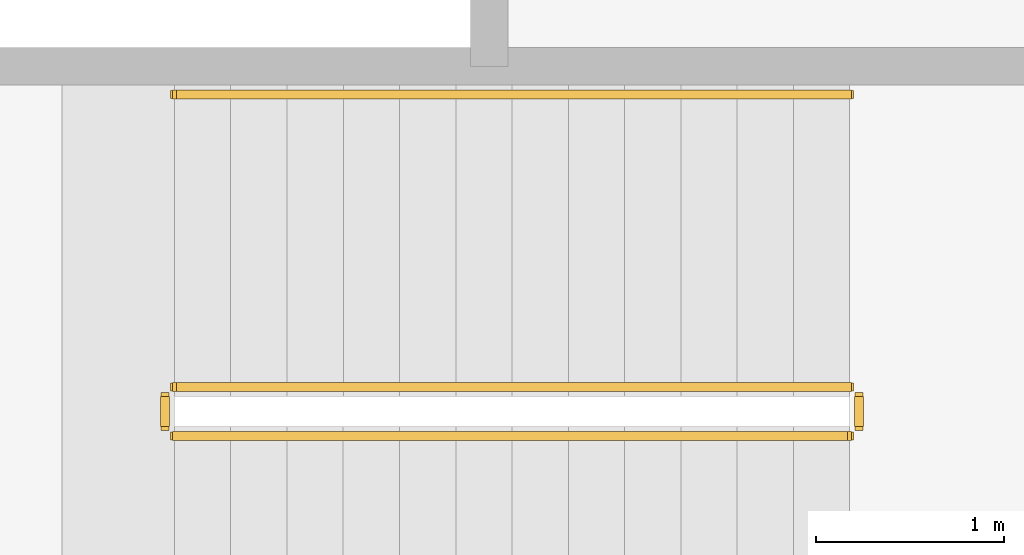
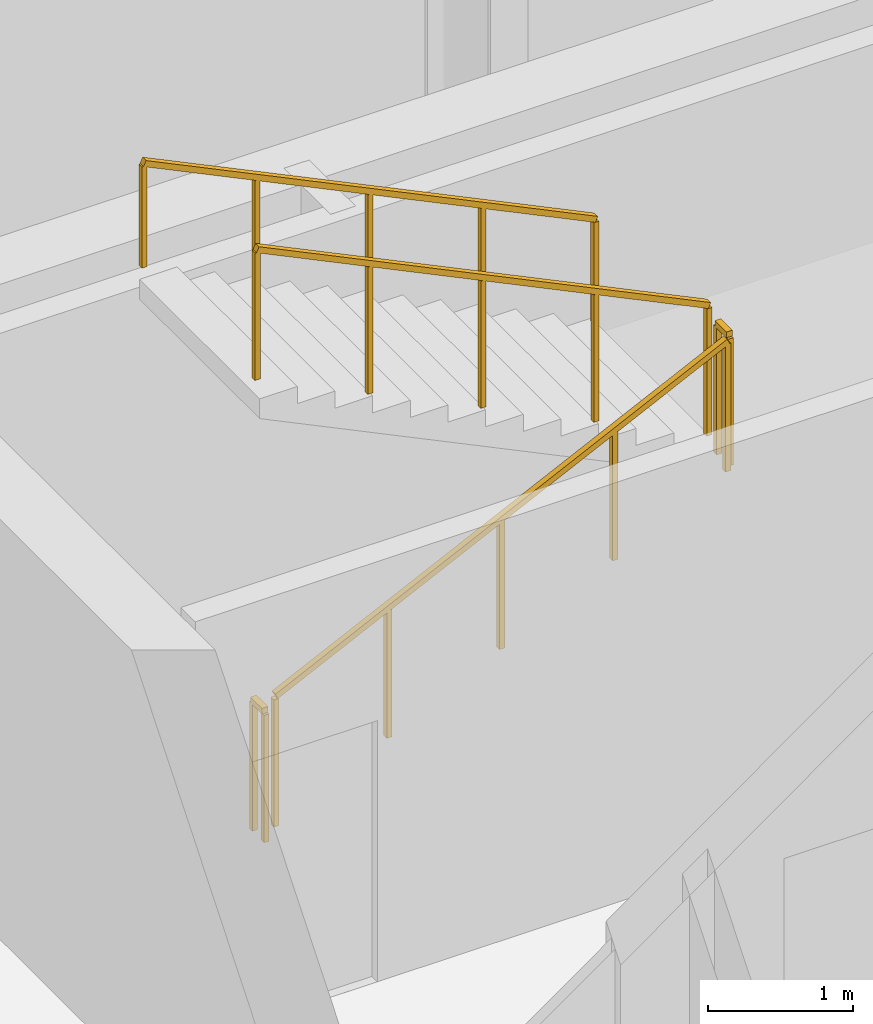
# One storey, part 24 of 25: 5 railings.
"""IFC4 building model written with IfcOpenShell, lengths in metres."""

from ifc_helpers import new_model, si_unit, direction, frame, origin, origin_2d, place, context, subcontext, project, spatial, rectangle, extrude, material, type_object, element, save


model = new_model("IFC4")

# Units and contexts
model_context = context("Model", 3, precision=1e-05, world=origin(), true_north=direction((0.0, 1.0)))
body_context = subcontext(model_context, "Body", "Model", "MODEL_VIEW")
ifc_project = project(units=[si_unit("LENGTHUNIT", "METRE"), si_unit("AREAUNIT", "SQUARE_METRE"), si_unit("VOLUMEUNIT", "CUBIC_METRE"), si_unit("PLANEANGLEUNIT", "RADIAN"), si_unit("MASSUNIT", "GRAM", prefix="KILO"), si_unit("THERMODYNAMICTEMPERATUREUNIT", "KELVIN"), si_unit("POWERUNIT", "WATT")], contexts=[model_context])

# Site, building, storey
site_placement = place(None, origin())
site = spatial("IfcSite", under=ifc_project, at=site_placement, CompositionType="ELEMENT")
building_placement = place(site_placement, origin())
building = spatial("IfcBuilding", under=site, at=building_placement, Name="Svarakhadi Broadcast Tower", CompositionType="ELEMENT")
storey_placement = place(building_placement, frame((0.0, 0.0, 227.39990234375)))
storey = spatial("IfcBuildingStorey", under=building, at=storey_placement, Name="L56", CompositionType="ELEMENT", Elevation=227.39990234375)

# Railings
ifc_material = material(Name="Anodised Bronze Aluminium AA 6063-T6", Category="aluminium")
railing_type_1 = type_object("IfcRailingType", Name="Guard_Stair_GR01", PredefinedType="GUARDRAIL", material=ifc_material)
railing_1_placement = place(storey_placement, frame((7.97998046875, 24.969970703125, 0.144287109375)))
element("IfcRailing", 1, at=railing_1_placement, inside=storey, type_object=railing_type_1, Name="L56 ST-01 stair guard 1", PredefinedType="GUARDRAIL", context=body_context, shape_type="SweptSolid", body=[
    extrude(rectangle(XDim=0.048095703125, YDim=0.048095703125, at=origin_2d()), frame((0.0, 0.0, 1.09619140625), z_axis=(0.901262522062, 0.0, 0.433273431364), x_axis=(0.0, 1.0, 0.0)), (0.0, 0.0, 1.0), 3.994384765625),
    extrude(rectangle(XDim=0.0419921875, YDim=0.0419921875, at=origin_2d()), origin(), (0.0, 0.0, 1.0), 1.072021484375),
    extrude(rectangle(XDim=0.0419921875, YDim=0.0419921875, at=origin_2d()), frame((0.89990234375, 0.0, 0.4326171875)), (0.0, 0.0, 1.0), 1.072021484375),
    extrude(rectangle(XDim=0.0419921875, YDim=0.0419921875, at=origin_2d()), frame((1.800048828125, 0.0, 0.865234375)), (0.0, 0.0, 1.0), 1.072021484375),
    extrude(rectangle(XDim=0.0419921875, YDim=0.0419921875, at=origin_2d()), frame((2.7001953125, 0.0, 1.298095703125)), (0.0, 0.0, 1.0), 1.072021484375),
    extrude(rectangle(XDim=0.0419921875, YDim=0.0419921875, at=origin_2d()), frame((3.60009765625, 0.0, 1.730712890625)), (0.0, 0.0, 1.0), 1.072021484375),
])
railing_2_placement = place(storey_placement, frame((11.6298828125, 25.02001953125, 1.875)))
element("IfcRailing", 2, at=railing_2_placement, inside=storey, type_object=railing_type_1, Name="L56 ST-01 stair guard 2", PredefinedType="GUARDRAIL", context=body_context, shape_type="SweptSolid", body=[
    extrude(rectangle(XDim=0.048095703125, YDim=0.048095703125, at=origin_2d()), frame((0.0, 0.0, 1.09619140625), z_axis=(0.0, 1.0, 0.0), x_axis=(-1.0, 0.0, 0.0)), (0.0, 0.0, 1.0), 0.159912109375),
    extrude(rectangle(XDim=0.0419921875, YDim=0.0419921875, at=origin_2d()), origin(), (0.0, 0.0, 1.0), 1.072021484375),
    extrude(rectangle(XDim=0.0419921875, YDim=0.0419921875, at=origin_2d()), frame((0.0, 0.159912109375, 0.0)), (0.0, 0.0, 1.0), 1.072021484375),
])
railing_3_placement = place(storey_placement, frame((11.580078125, 25.22998046875, 2.019287109375)))
element("IfcRailing", 3, at=railing_3_placement, inside=storey, type_object=railing_type_1, Name="L56 ST-01 stair guard 3", PredefinedType="GUARDRAIL", context=body_context, shape_type="SweptSolid", body=[
    extrude(rectangle(XDim=0.048095703125, YDim=0.048095703125, at=origin_2d()), frame((0.0, 0.0, 1.09619140625), z_axis=(-0.901262522062, 0.0, 0.433273431364), x_axis=(0.0, -1.0, 0.0)), (0.0, 0.0, 1.0), 3.994384765625),
    extrude(rectangle(XDim=0.0419921875, YDim=0.0419921875, at=origin_2d()), origin(), (0.0, 0.0, 1.0), 1.072021484375),
    extrude(rectangle(XDim=0.0419921875, YDim=0.0419921875, at=origin_2d()), frame((-0.89990234375, 0.0, 0.4326171875)), (0.0, 0.0, 1.0), 1.072021484375),
    extrude(rectangle(XDim=0.0419921875, YDim=0.0419921875, at=origin_2d()), frame((-1.800048828125, 0.0, 0.865234375)), (0.0, 0.0, 1.0), 1.072021484375),
    extrude(rectangle(XDim=0.0419921875, YDim=0.0419921875, at=origin_2d()), frame((-2.7001953125, 0.0, 1.298095703125)), (0.0, 0.0, 1.0), 1.072021484375),
    extrude(rectangle(XDim=0.0419921875, YDim=0.0419921875, at=origin_2d()), frame((-3.60009765625, 0.0, 1.730712890625)), (0.0, 0.0, 1.0), 1.072021484375),
])
railing_4_placement = place(storey_placement, frame((7.929931640625, 25.02001953125, 0.0)))
element("IfcRailing", 4, at=railing_4_placement, inside=storey, type_object=railing_type_1, Name="L56 ST-01 stair guard 4", PredefinedType="GUARDRAIL", context=body_context, shape_type="SweptSolid", body=[
    extrude(rectangle(XDim=0.048095703125, YDim=0.048095703125, at=origin_2d()), frame((0.0, 0.0, 1.09619140625), z_axis=(0.0, 1.0, 0.0), x_axis=(-1.0, 0.0, 0.0)), (0.0, 0.0, 1.0), 0.159912109375),
    extrude(rectangle(XDim=0.0419921875, YDim=0.0419921875, at=origin_2d()), origin(), (0.0, 0.0, 1.0), 1.072021484375),
    extrude(rectangle(XDim=0.0419921875, YDim=0.0419921875, at=origin_2d()), frame((0.0, 0.159912109375, 0.0)), (0.0, 0.0, 1.0), 1.072021484375),
])
railing_type_2 = type_object("IfcRailingType", Name="Handrail_Stair_HR01", PredefinedType="HANDRAIL", material=ifc_material)
railing_5_placement = place(storey_placement, frame((11.580078125, 26.7900390625, 2.019287109375)))
element("IfcRailing", 5, at=railing_5_placement, inside=storey, type_object=railing_type_2, Name="L56 ST-01 stair handrail 2", PredefinedType="HANDRAIL", context=body_context, shape_type="SweptSolid", body=[
    extrude(rectangle(XDim=0.048095703125, YDim=0.048095703125, at=origin_2d()), frame((0.0, 0.0, 0.8759765625), z_axis=(-0.901262522062, 0.0, 0.433273431364), x_axis=(0.0, -1.0, 0.0)), (0.0, 0.0, 1.0), 3.994384765625),
    extrude(rectangle(XDim=0.0419921875, YDim=0.0419921875, at=origin_2d()), origin(), (0.0, 0.0, 1.0), 0.851806640625),
    extrude(rectangle(XDim=0.0419921875, YDim=0.0419921875, at=origin_2d()), frame((-0.89990234375, 0.0, 0.4326171875)), (0.0, 0.0, 1.0), 0.851806640625),
    extrude(rectangle(XDim=0.0419921875, YDim=0.0419921875, at=origin_2d()), frame((-1.800048828125, 0.0, 0.865234375)), (0.0, 0.0, 1.0), 0.851806640625),
    extrude(rectangle(XDim=0.0419921875, YDim=0.0419921875, at=origin_2d()), frame((-2.7001953125, 0.0, 1.298095703125)), (0.0, 0.0, 1.0), 0.851806640625),
    extrude(rectangle(XDim=0.0419921875, YDim=0.0419921875, at=origin_2d()), frame((-3.60009765625, 0.0, 1.730712890625)), (0.0, 0.0, 1.0), 0.851806640625),
])

save(model, "model.ifc")
